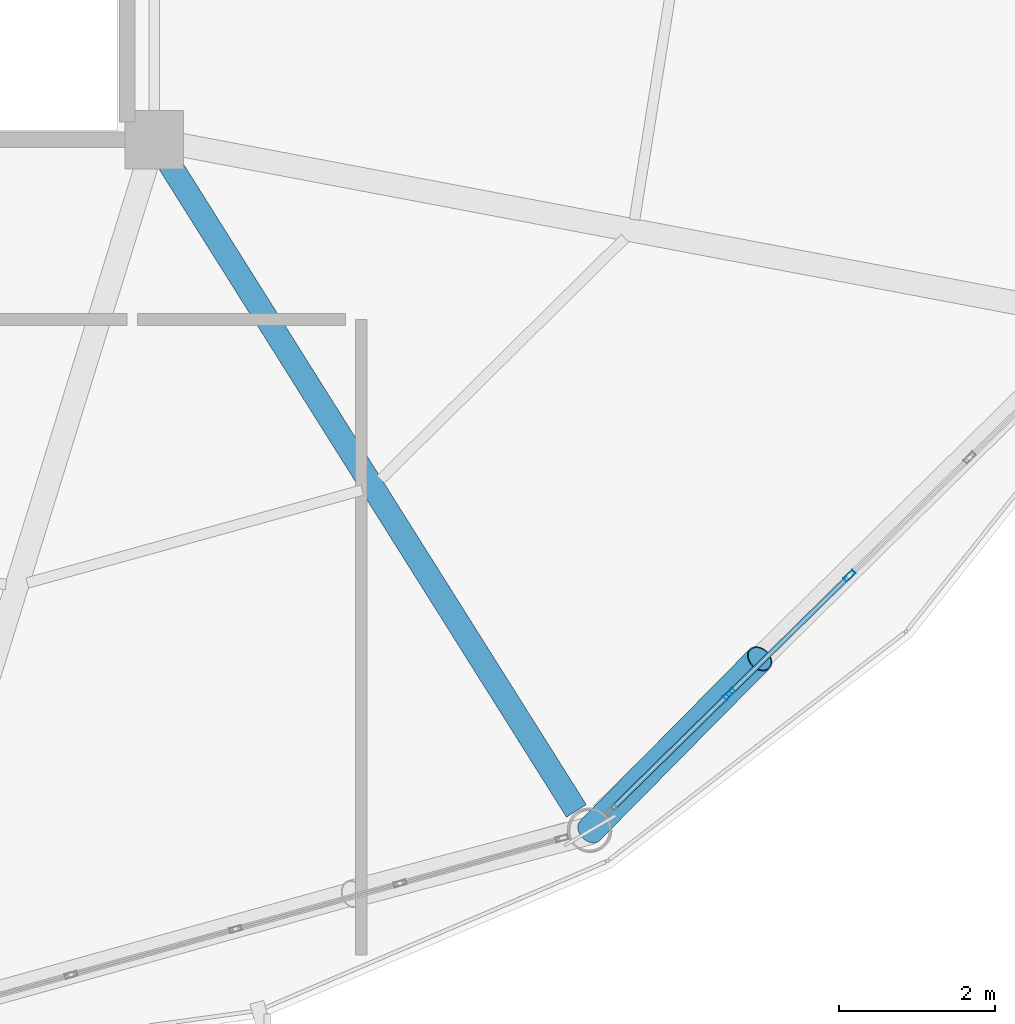
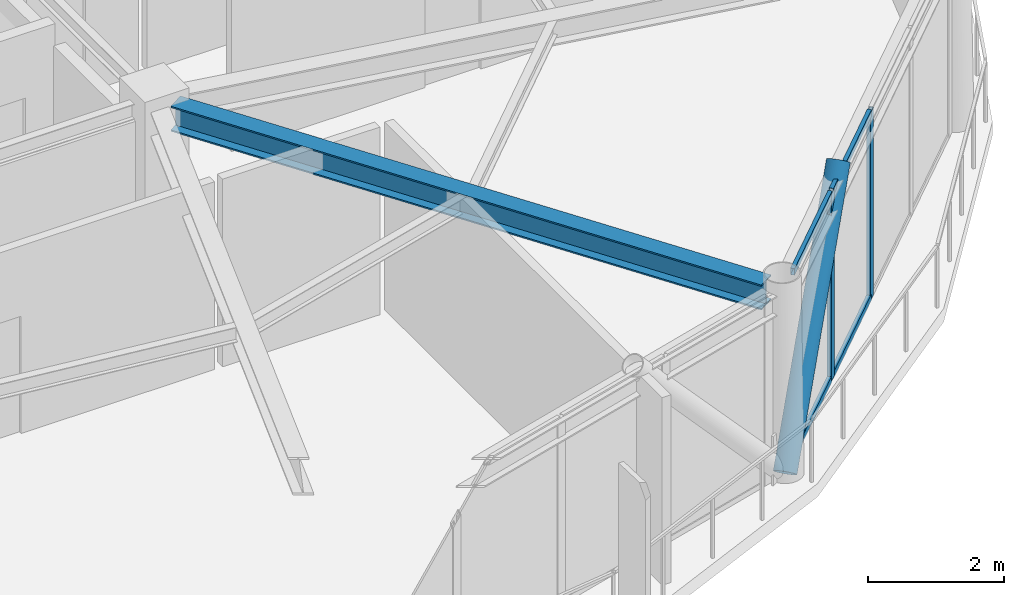
# One storey, part 8 of 25: 7 members, 1 beam, 1 element without a shape of its own.
"""IFC4 building model written with IfcOpenShell, lengths in metres."""

from ifc_helpers import new_model, si_unit, direction, frame, origin, origin_2d, place, context, subcontext, project, spatial, hollow_rectangle, hollow_circle, i_section, extrude, material, layer, layer_set, material_profile, profile_set, type_object, element, aggregate, save


model = new_model("IFC4")

# Units and contexts
model_context = context("Model", 3, precision=1e-05, world=origin(), true_north=direction((0.0, 1.0)))
body_context = subcontext(model_context, "Body", "Model", "MODEL_VIEW")
ifc_project = project(units=[si_unit("LENGTHUNIT", "METRE"), si_unit("AREAUNIT", "SQUARE_METRE"), si_unit("VOLUMEUNIT", "CUBIC_METRE"), si_unit("PLANEANGLEUNIT", "RADIAN"), si_unit("MASSUNIT", "GRAM", prefix="KILO")], contexts=[model_context])

# Site, building, storey
site_placement = place(None, origin())
site = spatial("IfcSite", under=ifc_project, at=site_placement, CompositionType="ELEMENT")
building_placement = place(site_placement, origin())
building = spatial("IfcBuilding", under=site, at=building_placement, Name="Varnakorn Sky Granary", CompositionType="ELEMENT")
storey_placement = place(building_placement, frame((0.0, 0.0, 259.800048828125)))
storey = spatial("IfcBuildingStorey", under=building, at=storey_placement, Name="L66", CompositionType="ELEMENT", Elevation=259.800048828125)

# Beam
ifc_material_1 = material(Name="Steel S355JR", Category="steel")
ifc_material_profile_1 = material_profile(ifc_material_1, i_section(OverallWidth=0.300048828125, OverallDepth=0.449951171875, WebThickness=0.013916015625, FlangeThickness=0.02587890625, at=origin_2d()), Name="HE 450 B")
ifc_profile_set_1 = profile_set([ifc_material_profile_1], Name="Steel S355JR")
beam_type = type_object("IfcBeamType", Name="BM-RAD-Z5", PredefinedType="BEAM", material=ifc_profile_set_1)
beam_placement = place(storey_placement, frame((8.5390625, -6.900390625, 3.135009765625), z_axis=(0.532320065904, -0.846543175175, 0.0), x_axis=(0.846543175175, 0.532320065904, 0.0)))
element("IfcBeam", 1, at=beam_placement, inside=storey, type_object=beam_type, Name="Radial Floor Girder RG11 L66", PredefinedType="BEAM", context=body_context, shape_type="SweptSolid", body=[
    extrude(i_section(OverallWidth=0.300048828125, OverallDepth=0.449951171875, WebThickness=0.013916015625, FlangeThickness=0.02587890625, at=origin_2d()), origin(), (0.0, 0.0, 1.0), 9.7958984375),
])

# Curtain wall, members
ifc_material_2 = material(Name="Anodised Bronze Aluminium Alloy 6063-T6", Category="aluminium")
ifc_layer = layer(ifc_material_2, 0.159912109375, Name="Anodised Bronze Aluminium Alloy 6063-T6")
ifc_layer_set = layer_set([ifc_layer], Name="Anodised Bronze Aluminium Alloy 6063-T6")
curtain_wall_type = type_object("IfcCurtainWallType", Name="CW-OFF-1", PredefinedType="USERDEFINED", material=ifc_layer_set)
curtain_wall_placement = place(storey_placement, origin())
curtain_wall = element("IfcCurtainWall", 2, at=curtain_wall_placement, inside=storey, type_object=curtain_wall_type, Name="Unitised Curtain Wall CW6 CW-L66-B11", ObjectType="CURTAIN WALL", PredefinedType="USERDEFINED")
ifc_material_profile_2 = material_profile(ifc_material_2, hollow_rectangle(XDim=0.06494140625, YDim=0.159912109375, WallThickness=0.00341796875, at=origin_2d()), Name="ALU MULL 65x160")
ifc_profile_set_2 = profile_set([ifc_material_profile_2], Name="Anodised Bronze Aluminium Alloy 6063-T6")
member_type_1 = type_object("IfcMemberType", Name="CW-OFF-1-MULL", PredefinedType="MULLION", material=ifc_profile_set_2)
member_1_placement = place(storey_placement, frame((17.25146484375, -12.18212890625, 0.0), z_axis=(0.0, 0.0, 1.0), x_axis=(0.700774417108, -0.713382938068, 0.0)))
member_1 = element("IfcMember", 3, at=member_1_placement, type_object=member_type_1, Name="CW6 mullion 3", PredefinedType="MULLION", context=body_context, shape_type="SweptSolid", body=[
    extrude(hollow_rectangle(XDim=0.06494140625, YDim=0.159912109375, WallThickness=0.00341796875, at=origin_2d()), origin(), (0.0, 0.0, 1.0), 3.35986328125),
])
member_2_placement = place(storey_placement, frame((15.711181640625, -13.6953125, 0.0), z_axis=(0.0, 0.0, 1.0), x_axis=(0.700774417108, -0.713382938068, 0.0)))
member_2 = element("IfcMember", 4, at=member_2_placement, type_object=member_type_1, Name="CW6 mullion 4", PredefinedType="MULLION", context=body_context, shape_type="SweptSolid", body=[
    extrude(hollow_rectangle(XDim=0.06494140625, YDim=0.159912109375, WallThickness=0.00341796875, at=origin_2d()), origin(), (0.0, 0.0, 1.0), 3.35986328125),
])
ifc_material_profile_3 = material_profile(ifc_material_2, hollow_rectangle(XDim=0.06494140625, YDim=0.1201171875, WallThickness=0.00341796875, at=origin_2d()), Name="ALU TRAN 65x120")
ifc_profile_set_3 = profile_set([ifc_material_profile_3], Name="Anodised Bronze Aluminium Alloy 6063-T6")
member_type_2 = type_object("IfcMemberType", Name="CW-OFF-1-TRAN", PredefinedType="USERDEFINED", material=ifc_profile_set_3)
member_3_placement = place(storey_placement, frame((17.228271484375, -12.205078125, 0.032470703125), z_axis=(-0.713374263044, -0.700783248106, 0.0), x_axis=(0.700783248106, -0.713374263044, 0.0)))
member_3 = element("IfcMember", 5, at=member_3_placement, type_object=member_type_2, Name="CW6 transom 3.1", ObjectType="TRANSOM", PredefinedType="USERDEFINED", context=body_context, shape_type="SweptSolid", body=[
    extrude(hollow_rectangle(XDim=0.06494140625, YDim=0.1201171875, WallThickness=0.00341796875, at=origin_2d()), origin(), (0.0, 0.0, 1.0), 2.09423828125),
])
member_4_placement = place(storey_placement, frame((17.228271484375, -12.205078125, 3.327392578125), z_axis=(-0.713374263044, -0.700783248106, 0.0), x_axis=(0.700783248106, -0.713374263044, 0.0)))
member_4 = element("IfcMember", 6, at=member_4_placement, type_object=member_type_2, Name="CW6 transom 3.2", ObjectType="TRANSOM", PredefinedType="USERDEFINED", context=body_context, shape_type="SweptSolid", body=[
    extrude(hollow_rectangle(XDim=0.06494140625, YDim=0.1201171875, WallThickness=0.00341796875, at=origin_2d()), origin(), (0.0, 0.0, 1.0), 2.09423828125),
])
member_5_placement = place(storey_placement, frame((15.68798828125, -13.718017578125, 0.032470703125), z_axis=(-0.713413277068, -0.700743530903, 0.0), x_axis=(0.700743530903, -0.713413277068, 0.0)))
member_5 = element("IfcMember", 7, at=member_5_placement, type_object=member_type_2, Name="CW6 transom 4.1", ObjectType="TRANSOM", PredefinedType="USERDEFINED", context=body_context, shape_type="SweptSolid", body=[
    extrude(hollow_rectangle(XDim=0.06494140625, YDim=0.1201171875, WallThickness=0.00341796875, at=origin_2d()), origin(), (0.0, 0.0, 1.0), 2.061767578125),
])
member_6_placement = place(storey_placement, frame((15.68798828125, -13.718017578125, 3.327392578125), z_axis=(-0.713413277068, -0.700743530903, 0.0), x_axis=(0.700743530903, -0.713413277068, 0.0)))
member_6 = element("IfcMember", 8, at=member_6_placement, type_object=member_type_2, Name="CW6 transom 4.2", ObjectType="TRANSOM", PredefinedType="USERDEFINED", context=body_context, shape_type="SweptSolid", body=[
    extrude(hollow_rectangle(XDim=0.06494140625, YDim=0.1201171875, WallThickness=0.00341796875, at=origin_2d()), origin(), (0.0, 0.0, 1.0), 2.061767578125),
])
aggregate(curtain_wall, [member_1, member_2, member_3, member_4, member_5, member_6])

# Member
ifc_material_3 = material(Name="Steel S460M", Category="steel")
ifc_material_profile_4 = material_profile(ifc_material_3, hollow_circle(Radius=0.177734375, WallThickness=0.01416015625, at=origin_2d()), Name="CHS 355.6x14")
ifc_profile_set_4 = profile_set([ifc_material_profile_4], Name="Steel S460M")
member_type_3 = type_object("IfcMemberType", Name="MB-DIAG-T5", PredefinedType="BRACE", material=ifc_profile_set_4)
member_7_placement = place(storey_placement, frame((13.928466796875, -15.4462890625, 0.0), z_axis=(0.465987041714, 0.472007546129, 0.74837487488), x_axis=(-0.711630677266, 0.702553755362, 0.0)))
element("IfcMember", 9, at=member_7_placement, inside=storey, type_object=member_type_3, Name="Perimeter CHS Diagrid Brace DG11 L66", PredefinedType="BRACE", context=body_context, shape_type="SweptSolid", body=[
    extrude(hollow_circle(Radius=0.177734375, WallThickness=0.01416015625, at=origin_2d()), origin(), (0.0, 0.0, 1.0), 4.663330078125),
])

save(model, "model.ifc")
